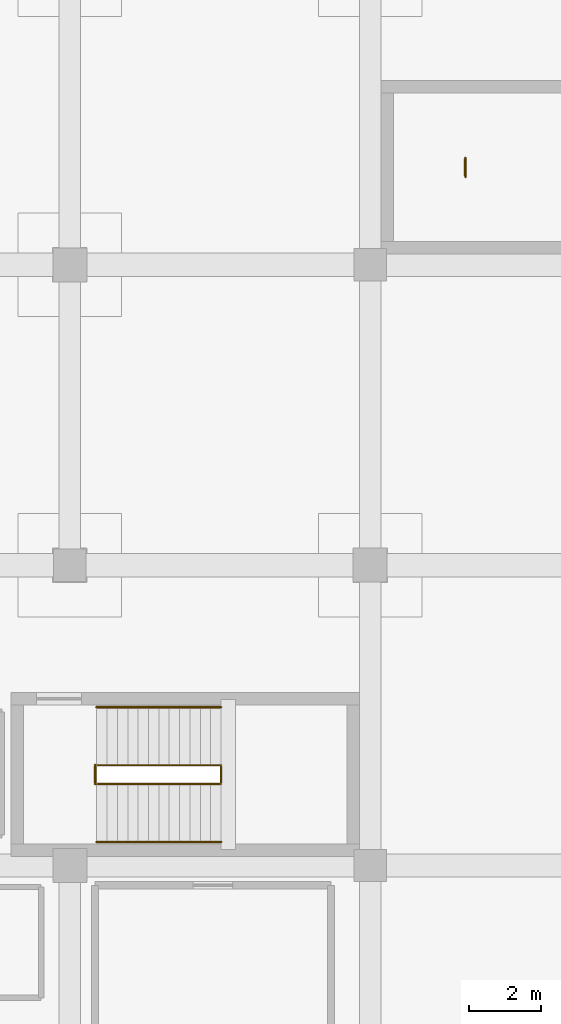
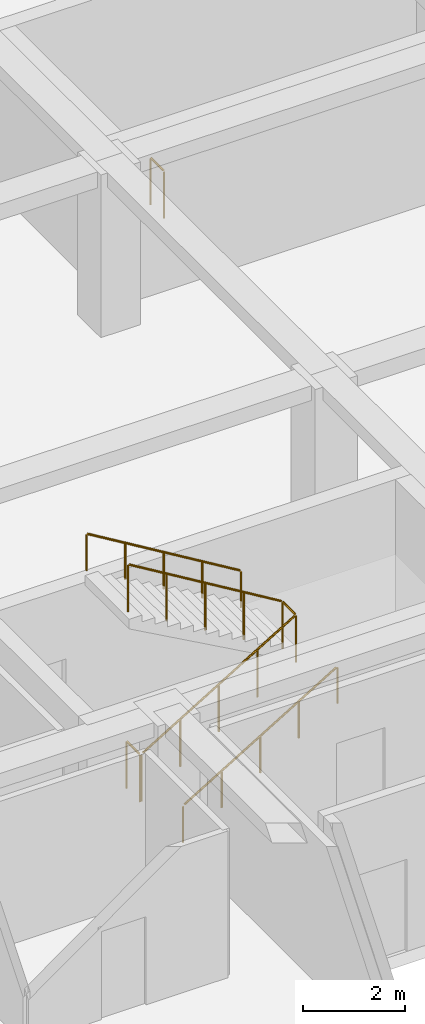
# One storey, part 31 of 32: 5 railings.
"""IFC4 building model written with IfcOpenShell, lengths in metres."""

from ifc_helpers import new_model, si_unit, direction, frame, origin, origin_2d, place, context, subcontext, project, spatial, circle, extrude, material, type_object, element, save


model = new_model("IFC4")

# Units and contexts
model_context = context("Model", 3, precision=1e-05, world=origin(), true_north=direction((0.0, 1.0)))
body_context = subcontext(model_context, "Body", "Model", "MODEL_VIEW")
ifc_project = project(units=[si_unit("LENGTHUNIT", "METRE"), si_unit("AREAUNIT", "SQUARE_METRE"), si_unit("VOLUMEUNIT", "CUBIC_METRE"), si_unit("PLANEANGLEUNIT", "RADIAN"), si_unit("MASSUNIT", "GRAM", prefix="KILO")], contexts=[model_context])

# Site, building, storey
site_placement = place(None, origin())
site = spatial("IfcSite", under=ifc_project, at=site_placement, CompositionType="ELEMENT")
building_placement = place(site_placement, origin())
building = spatial("IfcBuilding", under=site, at=building_placement, Name="Almacenes y Pasaje Nevantli", CompositionType="ELEMENT")
storey_placement = place(building_placement, frame((0.0, 0.0, -4.199951171875)))
storey = spatial("IfcBuildingStorey", under=building, at=storey_placement, Name="B01", CompositionType="ELEMENT", Elevation=-4.199951171875)

# Railings
ifc_material_1 = material(Name="Brushed Stainless Steel and Tempered Safety Glass", Category="steel")
railing_type_1 = type_object("IfcRailingType", Name="RL-GUARD-1100", PredefinedType="BALUSTRADE", material=ifc_material_1)
railing_1_placement = place(storey_placement, frame((135.14990234375, 86.280029296875, 0.0)))
element("IfcRailing", 1, at=railing_1_placement, inside=storey, type_object=railing_type_1, Name="B01 Stair ST-02 Inner Well Guard Balustrade", PredefinedType="BALUSTRADE", context=body_context, shape_type="SweptSolid", body=[
    extrude(circle(Radius=0.02392578125, at=origin_2d()), frame((0.025634765625, 0.0, 1.141357421875), z_axis=(0.856202320911, 0.0, 0.516640673647), x_axis=(0.0, 1.0, 0.0)), (0.0, 0.0, 1.0), 4.00439453125),
    extrude(circle(Radius=0.02392578125, at=origin_2d()), frame((3.47998046875, 0.030029296875, 3.2255859375), z_axis=(0.0, 1.0, 0.0), x_axis=(-1.0, 0.0, 0.0)), (0.0, 0.0, 1.0), 0.469970703125),
    extrude(circle(Radius=0.02392578125, at=origin_2d()), frame((3.454345703125, 0.530029296875, 3.2412109375), z_axis=(-0.856175749803, 0.0, 0.516684706034), x_axis=(0.0, -1.0, 0.0)), (0.0, 0.0, 1.0), 4.004638671875),
    extrude(circle(Radius=0.02099609375, at=origin_2d()), origin(), (0.0, 0.0, 1.0), 1.096923828125),
    extrude(circle(Radius=0.02099609375, at=origin_2d()), frame((0.8701171875, 0.0, 0.52490234375)), (0.0, 0.0, 1.0), 1.096923828125),
    extrude(circle(Radius=0.02099609375, at=origin_2d()), frame((1.739990234375, 0.0, 1.0498046875)), (0.0, 0.0, 1.0), 1.096923828125),
    extrude(circle(Radius=0.02099609375, at=origin_2d()), frame((2.60986328125, 0.0, 1.574951171875)), (0.0, 0.0, 1.0), 1.096923828125),
    extrude(circle(Radius=0.02099609375, at=origin_2d()), frame((3.47998046875, 0.0, 2.099853515625)), (0.0, 0.0, 1.0), 1.096923828125),
    extrude(circle(Radius=0.02099609375, at=origin_2d()), frame((3.47998046875, 0.530029296875, 2.099853515625)), (0.0, 0.0, 1.0), 1.096923828125),
    extrude(circle(Radius=0.02099609375, at=origin_2d()), frame((2.60986328125, 0.530029296875, 2.625)), (0.0, 0.0, 1.0), 1.096923828125),
    extrude(circle(Radius=0.02099609375, at=origin_2d()), frame((1.739990234375, 0.530029296875, 3.14990234375)), (0.0, 0.0, 1.0), 1.096923828125),
    extrude(circle(Radius=0.02099609375, at=origin_2d()), frame((0.8701171875, 0.530029296875, 3.6748046875)), (0.0, 0.0, 1.0), 1.096923828125),
    extrude(circle(Radius=0.02099609375, at=origin_2d()), frame((0.0, 0.530029296875, 4.199951171875)), (0.0, 0.0, 1.0), 1.096923828125),
])
for number, where, name in (
    (2, (135.110107421875, 86.280029296875, 0.0), "B01 Stair ST-02 Landing Well Slot Guard"),
    (3, (145.4599609375, 103.260009765625, 0.0), "B01 Stair ST-07 Landing Well Slot Guard"),
):
    element("IfcRailing", number, at=place(storey_placement, frame(where)), inside=storey, type_object=railing_type_1, Name=name, PredefinedType="BALUSTRADE", context=body_context, shape_type="SweptSolid", body=[
        extrude(circle(Radius=0.02392578125, at=origin_2d()), frame((0.0, 0.030029296875, 1.1259765625), z_axis=(0.0, 1.0, 0.0), x_axis=(-1.0, 0.0, 0.0)), (0.0, 0.0, 1.0), 0.469970703125),
        extrude(circle(Radius=0.02099609375, at=origin_2d()), origin(), (0.0, 0.0, 1.0), 1.096923828125),
        extrude(circle(Radius=0.02099609375, at=origin_2d()), frame((0.0, 0.530029296875, 0.0)), (0.0, 0.0, 1.0), 1.096923828125),
    ])
ifc_material_2 = material(Name="Brushed Stainless Steel Tube", Category="steel")
railing_type_2 = type_object("IfcRailingType", Name="RL-HANDRAIL-900", PredefinedType="HANDRAIL", material=ifc_material_2)
railing_2_placement = place(storey_placement, frame((135.14990234375, 84.659912109375, 0.0)))
element("IfcRailing", 4, at=railing_2_placement, inside=storey, type_object=railing_type_2, Name="B01 Stair ST-02 Lower Flight Handrail", PredefinedType="HANDRAIL", context=body_context, shape_type="SweptSolid", body=[
    extrude(circle(Radius=0.02392578125, at=origin_2d()), frame((0.025634765625, 0.0, 0.891357421875), z_axis=(0.856202320911, 0.0, 0.516640673647), x_axis=(0.0, 1.0, 0.0)), (0.0, 0.0, 1.0), 4.00439453125),
    extrude(circle(Radius=0.02099609375, at=origin_2d()), origin(), (0.0, 0.0, 1.0), 0.846923828125),
    extrude(circle(Radius=0.02099609375, at=origin_2d()), frame((0.8701171875, 0.0, 0.52490234375)), (0.0, 0.0, 1.0), 0.846923828125),
    extrude(circle(Radius=0.02099609375, at=origin_2d()), frame((1.739990234375, 0.0, 1.0498046875)), (0.0, 0.0, 1.0), 0.846923828125),
    extrude(circle(Radius=0.02099609375, at=origin_2d()), frame((2.60986328125, 0.0, 1.574951171875)), (0.0, 0.0, 1.0), 0.846923828125),
    extrude(circle(Radius=0.02099609375, at=origin_2d()), frame((3.47998046875, 0.0, 2.099853515625)), (0.0, 0.0, 1.0), 0.846923828125),
])
railing_3_placement = place(storey_placement, frame((138.6298828125, 88.429931640625, 2.099853515625)))
element("IfcRailing", 5, at=railing_3_placement, inside=storey, type_object=railing_type_2, Name="B01 Stair ST-02 Upper Flight Handrail", PredefinedType="HANDRAIL", context=body_context, shape_type="SweptSolid", body=[
    extrude(circle(Radius=0.02392578125, at=origin_2d()), frame((-0.025634765625, 0.0, 0.891357421875), z_axis=(-0.856175749803, 0.0, 0.516684706034), x_axis=(0.0, -1.0, 0.0)), (0.0, 0.0, 1.0), 4.004638671875),
    extrude(circle(Radius=0.02099609375, at=origin_2d()), origin(), (0.0, 0.0, 1.0), 0.846923828125),
    extrude(circle(Radius=0.02099609375, at=origin_2d()), frame((-0.8701171875, 0.0, 0.52490234375)), (0.0, 0.0, 1.0), 0.846923828125),
    extrude(circle(Radius=0.02099609375, at=origin_2d()), frame((-1.739990234375, 0.0, 1.050048828125)), (0.0, 0.0, 1.0), 0.846923828125),
    extrude(circle(Radius=0.02099609375, at=origin_2d()), frame((-2.60986328125, 0.0, 1.5751953125)), (0.0, 0.0, 1.0), 0.846923828125),
    extrude(circle(Radius=0.02099609375, at=origin_2d()), frame((-3.47998046875, 0.0, 2.10009765625)), (0.0, 0.0, 1.0), 0.846923828125),
])

save(model, "model.ifc")
